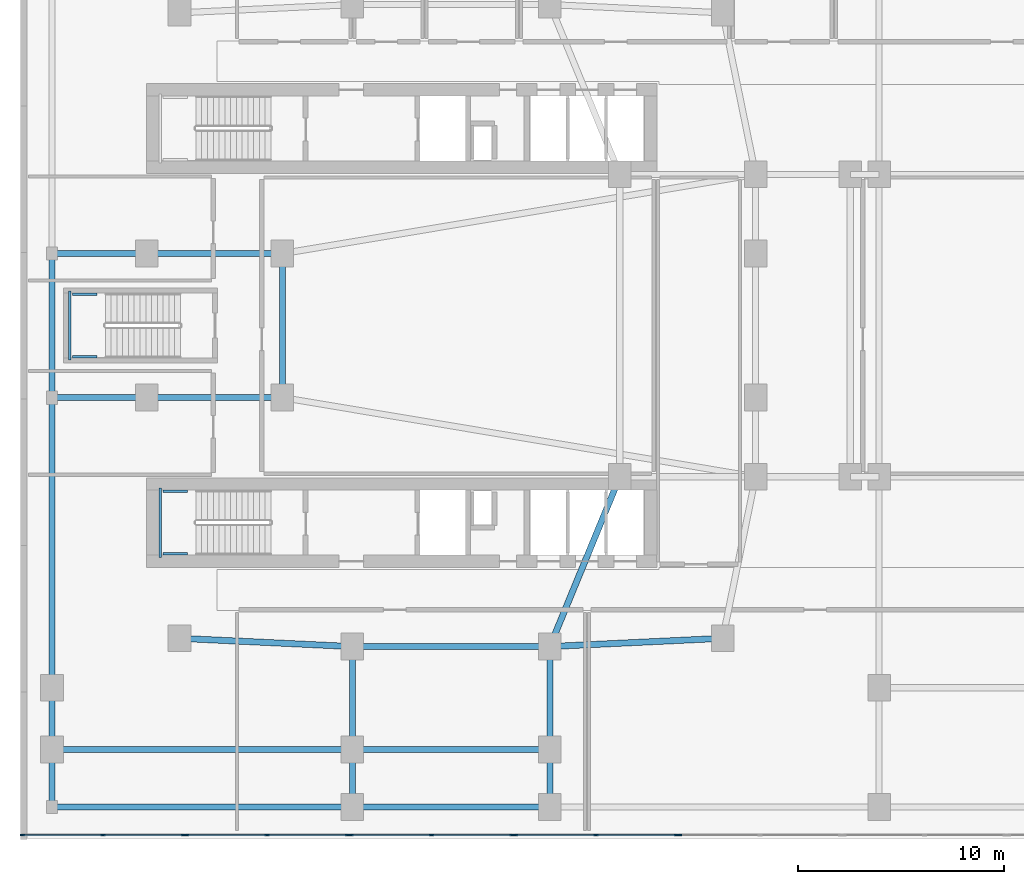
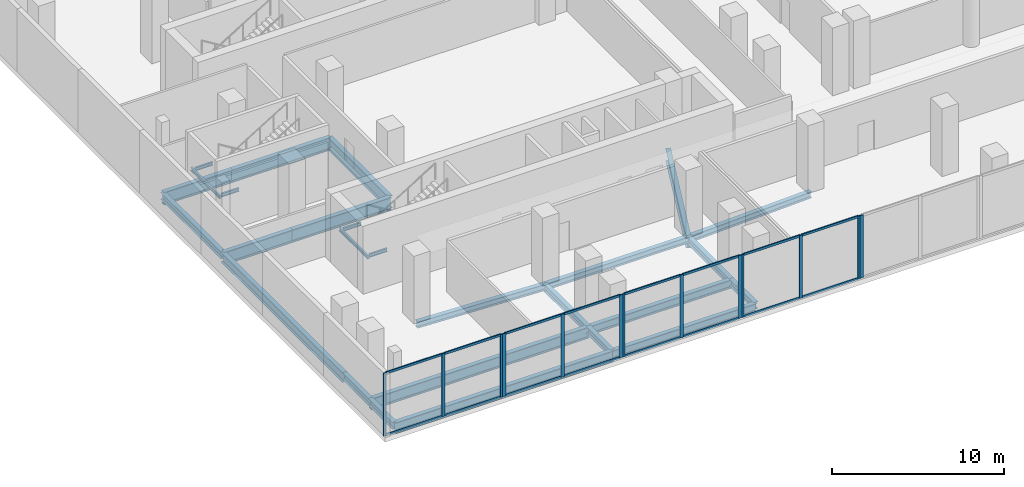
# One storey, part 2 of 23: 29 members, 27 beams, 5 elements without a shape of their own.
"""IFC4 building model written with IfcOpenShell, lengths in metres."""

from ifc_helpers import new_model, si_unit, derived_unit, direction, frame, origin, origin_2d, place, context, subcontext, project, spatial, rectangle, i_section, extrude, material, layer, layer_set, material_profile, profile_set, type_object, element, aggregate, save


model = new_model("IFC4")

# Units and contexts
model_context = context("Model", 3, precision=1e-05, world=origin(), true_north=direction((0.0, 1.0)))
body_context = subcontext(model_context, "Body", "Model", "MODEL_VIEW")
ifc_project = project(units=[si_unit("LENGTHUNIT", "METRE"), si_unit("AREAUNIT", "SQUARE_METRE"), si_unit("VOLUMEUNIT", "CUBIC_METRE"), si_unit("PLANEANGLEUNIT", "RADIAN"), si_unit("MASSUNIT", "GRAM", prefix="KILO"), derived_unit("THERMALTRANSMITTANCEUNIT", [(si_unit("POWERUNIT", "WATT"), 1), (si_unit("LENGTHUNIT", "METRE"), -2), (si_unit("THERMODYNAMICTEMPERATUREUNIT", "KELVIN"), -1)])], contexts=[model_context])

# Site, building, storey
site_placement = place(None, origin())
site = spatial("IfcSite", under=ifc_project, at=site_placement, CompositionType="ELEMENT")
building_placement = place(site_placement, origin())
building = spatial("IfcBuilding", under=site, at=building_placement, Name="Kivonza Crest Hotel", CompositionType="ELEMENT")
storey_placement = place(building_placement, frame((0.0, 0.0, 5.39990234375)))
storey = spatial("IfcBuildingStorey", under=building, at=storey_placement, Name="L01", CompositionType="ELEMENT", Elevation=5.39990234375)

# Beams
ifc_material_1 = material(Name="Steel S355", Category="steel")
ifc_material_profile_1 = material_profile(ifc_material_1, i_section(OverallWidth=0.300048828125, OverallDepth=0.449951171875, WebThickness=0.013916015625, FlangeThickness=0.02587890625, FilletRadius=0.027099609375, at=origin_2d()), Name="HEB 450")
ifc_profile_set_1 = profile_set([ifc_material_profile_1], Name="Steel S355")
beam_type_1 = type_object("IfcBeamType", Name="BM-HEB450", PredefinedType="SPANDREL", material=ifc_profile_set_1)
beam_1_placement = place(storey_placement, frame((16.199951171875, 9.39990234375, -0.574951171875), z_axis=(1.0, 0.0, 0.0), x_axis=(0.0, 1.0, 0.0)))
element("IfcBeam", 1, at=beam_1_placement, inside=storey, type_object=beam_type_1, Name="Tower T1 L01 perimeter spandrel S1-S2", PredefinedType="SPANDREL", context=body_context, shape_type="SweptSolid", body=[
    extrude(i_section(OverallWidth=0.300048828125, OverallDepth=0.449951171875, WebThickness=0.013916015625, FlangeThickness=0.02587890625, FilletRadius=0.027099609375, at=origin_2d()), origin(), (0.0, 0.0, 1.0), 9.60009765625),
])
for number, where, z_axis, x_axis, name in (
    (2, (25.800048828125, 9.39990234375, -0.574951171875), (0.998867283688, 0.047583080799, 0.0), (-0.047583080799, 0.998867283688, 0.0), "Tower T1 L01 perimeter spandrel S2-SE"),
    (3, (7.800048828125, 9.800048828125, -0.574951171875), (0.998867283688, -0.047583080799, 0.0), (0.047583080799, 0.998867283688, 0.0), "Tower T1 L01 perimeter spandrel SW-S1"),
):
    element("IfcBeam", number, at=place(storey_placement, frame(where, z_axis=z_axis, x_axis=x_axis)), inside=storey, type_object=beam_type_1, Name=name, PredefinedType="SPANDREL", context=body_context, shape_type="SweptSolid", body=[
        extrude(i_section(OverallWidth=0.300048828125, OverallDepth=0.449951171875, WebThickness=0.013916015625, FlangeThickness=0.02587890625, FilletRadius=0.027099609375, at=origin_2d()), origin(), (0.0, 0.0, 1.0), 8.409423828125),
    ])
ifc_material_profile_2 = material_profile(ifc_material_1, i_section(OverallWidth=0.300048828125, OverallDepth=0.5, WebThickness=0.014404296875, FlangeThickness=0.028076171875, FilletRadius=0.027099609375, at=origin_2d()), Name="HEB 500")
ifc_profile_set_2 = profile_set([ifc_material_profile_2], Name="Steel S355")
beam_type_2 = type_object("IfcBeamType", Name="BM-HEB500", PredefinedType="BEAM", material=ifc_profile_set_2)
beam_2_placement = place(storey_placement, frame((1.60009765625, 1.60009765625, -0.599853515625), z_axis=(0.0, 1.0, 0.0), x_axis=(-1.0, 0.0, 0.0)))
element("IfcBeam", 4, at=beam_2_placement, inside=storey, type_object=beam_type_2, Name="L01 podium girder Y 49", PredefinedType="BEAM", context=body_context, shape_type="SweptSolid", body=[
    extrude(i_section(OverallWidth=0.300048828125, OverallDepth=0.5, WebThickness=0.014404296875, FlangeThickness=0.028076171875, FilletRadius=0.027099609375, at=origin_2d()), origin(), (0.0, 0.0, 1.0), 2.7998046875),
])
beam_3_placement = place(storey_placement, frame((1.60009765625, 4.39990234375, -0.599853515625), z_axis=(0.0, 1.0, 0.0), x_axis=(-1.0, 0.0, 0.0)))
element("IfcBeam", 5, at=beam_3_placement, inside=storey, type_object=beam_type_2, Name="L01 podium girder Y 50", PredefinedType="BEAM", context=body_context, shape_type="SweptSolid", body=[
    extrude(i_section(OverallWidth=0.300048828125, OverallDepth=0.5, WebThickness=0.014404296875, FlangeThickness=0.028076171875, FilletRadius=0.027099609375, at=origin_2d()), origin(), (0.0, 0.0, 1.0), 3.0),
])
beam_4_placement = place(storey_placement, frame((1.60009765625, 21.5, -0.599853515625), z_axis=(0.0, 1.0, 0.0), x_axis=(-1.0, 0.0, 0.0)))
element("IfcBeam", 6, at=beam_4_placement, inside=storey, type_object=beam_type_2, Name="L01 podium girder Y 52", PredefinedType="BEAM", context=body_context, shape_type="SweptSolid", body=[
    extrude(i_section(OverallWidth=0.300048828125, OverallDepth=0.5, WebThickness=0.014404296875, FlangeThickness=0.028076171875, FilletRadius=0.027099609375, at=origin_2d()), origin(), (0.0, 0.0, 1.0), 7.0),
])
beam_5_placement = place(storey_placement, frame((16.199951171875, 1.60009765625, -0.599853515625), z_axis=(0.0, 1.0, 0.0), x_axis=(-1.0, 0.0, 0.0)))
element("IfcBeam", 7, at=beam_5_placement, inside=storey, type_object=beam_type_2, Name="L01 podium girder Y 58", PredefinedType="BEAM", context=body_context, shape_type="SweptSolid", body=[
    extrude(i_section(OverallWidth=0.300048828125, OverallDepth=0.5, WebThickness=0.014404296875, FlangeThickness=0.028076171875, FilletRadius=0.027099609375, at=origin_2d()), origin(), (0.0, 0.0, 1.0), 2.7998046875),
])
beam_6_placement = place(storey_placement, frame((16.199951171875, 4.39990234375, -0.599853515625), z_axis=(0.0, 1.0, 0.0), x_axis=(-1.0, 0.0, 0.0)))
element("IfcBeam", 8, at=beam_6_placement, inside=storey, type_object=beam_type_2, Name="L01 podium girder Y 59", PredefinedType="BEAM", context=body_context, shape_type="SweptSolid", body=[
    extrude(i_section(OverallWidth=0.300048828125, OverallDepth=0.5, WebThickness=0.014404296875, FlangeThickness=0.028076171875, FilletRadius=0.027099609375, at=origin_2d()), origin(), (0.0, 0.0, 1.0), 5.0),
])
beam_7_placement = place(storey_placement, frame((25.800048828125, 1.60009765625, -0.599853515625), z_axis=(0.0, 1.0, 0.0), x_axis=(-1.0, 0.0, 0.0)))
element("IfcBeam", 9, at=beam_7_placement, inside=storey, type_object=beam_type_2, Name="L01 podium girder Y 62", PredefinedType="BEAM", context=body_context, shape_type="SweptSolid", body=[
    extrude(i_section(OverallWidth=0.300048828125, OverallDepth=0.5, WebThickness=0.014404296875, FlangeThickness=0.028076171875, FilletRadius=0.027099609375, at=origin_2d()), origin(), (0.0, 0.0, 1.0), 2.7998046875),
])
beam_8_placement = place(storey_placement, frame((25.800048828125, 4.39990234375, -0.599853515625), z_axis=(0.0, 1.0, 0.0), x_axis=(-1.0, 0.0, 0.0)))
element("IfcBeam", 10, at=beam_8_placement, inside=storey, type_object=beam_type_2, Name="L01 podium girder Y 63", PredefinedType="BEAM", context=body_context, shape_type="SweptSolid", body=[
    extrude(i_section(OverallWidth=0.300048828125, OverallDepth=0.5, WebThickness=0.014404296875, FlangeThickness=0.028076171875, FilletRadius=0.027099609375, at=origin_2d()), origin(), (0.0, 0.0, 1.0), 5.0),
])
ifc_material_profile_3 = material_profile(ifc_material_1, i_section(OverallWidth=0.300048828125, OverallDepth=0.60009765625, WebThickness=0.015380859375, FlangeThickness=0.030029296875, FilletRadius=0.027099609375, at=origin_2d()), Name="HEB 600")
ifc_profile_set_3 = profile_set([ifc_material_profile_3], Name="Steel S355")
beam_type_3 = type_object("IfcBeamType", Name="BM-HEB600", PredefinedType="BEAM", material=ifc_profile_set_3)
for number, where, z_axis, x_axis, name in (
    (11, (16.199951171875, 1.60009765625, -0.64990234375), (1.0, 0.0, 0.0), (0.0, 1.0, 0.0), "L01 podium girder X 2"),
    (12, (16.199951171875, 4.39990234375, -0.64990234375), (1.0, 0.0, 0.0), (0.0, 1.0, 0.0), "L01 podium girder X 9"),
):
    element("IfcBeam", number, at=place(storey_placement, frame(where, z_axis=z_axis, x_axis=x_axis)), inside=storey, type_object=beam_type_3, Name=name, PredefinedType="BEAM", context=body_context, shape_type="SweptSolid", body=[
        extrude(i_section(OverallWidth=0.300048828125, OverallDepth=0.60009765625, WebThickness=0.015380859375, FlangeThickness=0.030029296875, FilletRadius=0.027099609375, at=origin_2d()), origin(), (0.0, 0.0, 1.0), 9.60009765625),
    ])
ifc_material_profile_4 = material_profile(ifc_material_1, i_section(OverallWidth=0.300048828125, OverallDepth=0.699951171875, WebThickness=0.01708984375, FlangeThickness=0.031982421875, FilletRadius=0.027099609375, at=origin_2d()), Name="HEB 700")
ifc_profile_set_4 = profile_set([ifc_material_profile_4], Name="Steel S355")
beam_type_4 = type_object("IfcBeamType", Name="BM-HEB700", PredefinedType="BEAM", material=ifc_profile_set_4)
beam_9_placement = place(storey_placement, frame((1.60009765625, 7.39990234375, -0.699951171875), z_axis=(0.0, 1.0, 0.0), x_axis=(-1.0, 0.0, 0.0)))
element("IfcBeam", 13, at=beam_9_placement, inside=storey, type_object=beam_type_4, Name="L01 podium girder Y 51", PredefinedType="BEAM", context=body_context, shape_type="SweptSolid", body=[
    extrude(i_section(OverallWidth=0.300048828125, OverallDepth=0.699951171875, WebThickness=0.01708984375, FlangeThickness=0.031982421875, FilletRadius=0.027099609375, at=origin_2d()), origin(), (0.0, 0.0, 1.0), 14.10009765625),
])
ifc_material_profile_5 = material_profile(ifc_material_1, i_section(OverallWidth=0.300048828125, OverallDepth=0.800048828125, WebThickness=0.017578125, FlangeThickness=0.032958984375, FilletRadius=0.030029296875, at=origin_2d()), Name="HEB 800")
ifc_profile_set_5 = profile_set([ifc_material_profile_5], Name="Steel S355")
beam_type_5 = type_object("IfcBeamType", Name="BM-HEB800", PredefinedType="BEAM", material=ifc_profile_set_5)
for number, where, z_axis, x_axis, name in (
    (14, (1.60009765625, 1.60009765625, -0.75), (1.0, 0.0, 0.0), (0.0, 1.0, 0.0), "L01 podium girder X 1"),
    (15, (1.60009765625, 4.39990234375, -0.75), (1.0, 0.0, 0.0), (0.0, 1.0, 0.0), "L01 podium girder X 8"),
):
    element("IfcBeam", number, at=place(storey_placement, frame(where, z_axis=z_axis, x_axis=x_axis)), inside=storey, type_object=beam_type_5, Name=name, PredefinedType="BEAM", context=body_context, shape_type="SweptSolid", body=[
        extrude(i_section(OverallWidth=0.300048828125, OverallDepth=0.800048828125, WebThickness=0.017578125, FlangeThickness=0.032958984375, FilletRadius=0.030029296875, at=origin_2d()), origin(), (0.0, 0.0, 1.0), 14.599853515625),
    ])
ifc_material_profile_6 = material_profile(ifc_material_1, i_section(OverallWidth=0.300048828125, OverallDepth=0.89990234375, WebThickness=0.0185546875, FlangeThickness=0.034912109375, FilletRadius=0.030029296875, at=origin_2d()), Name="HEB 900")
ifc_profile_set_6 = profile_set([ifc_material_profile_6], Name="Steel S355")
beam_type_6 = type_object("IfcBeamType", Name="BM-HEB900", PredefinedType="BEAM", material=ifc_profile_set_6)
for number, where, z_axis, x_axis, name in (
    (16, (6.199951171875, 21.5, -0.7998046875), (1.0, 0.0, 0.0), (0.0, 1.0, 0.0), "Tower T1 L01 primary girder W1-WL1"),
    (17, (6.199951171875, 28.5, -0.7998046875), (1.0, 0.0, 0.0), (0.0, 1.0, 0.0), "Tower T1 L01 primary girder W2-WL2"),
):
    element("IfcBeam", number, at=place(storey_placement, frame(where, z_axis=z_axis, x_axis=x_axis)), inside=storey, type_object=beam_type_6, Name=name, PredefinedType="BEAM", context=body_context, shape_type="SweptSolid", body=[
        extrude(i_section(OverallWidth=0.300048828125, OverallDepth=0.89990234375, WebThickness=0.0185546875, FlangeThickness=0.034912109375, FilletRadius=0.030029296875, at=origin_2d()), origin(), (0.0, 0.0, 1.0), 6.60009765625),
    ])
beam_10_placement = place(storey_placement, frame((12.800048828125, 21.5, -0.7998046875), z_axis=(0.0, 1.0, 0.0), x_axis=(-1.0, 0.0, 0.0)))
element("IfcBeam", 18, at=beam_10_placement, inside=storey, type_object=beam_type_6, Name="Tower T1 L01 primary girder WL1-WL2", PredefinedType="BEAM", context=body_context, shape_type="SweptSolid", body=[
    extrude(i_section(OverallWidth=0.300048828125, OverallDepth=0.89990234375, WebThickness=0.0185546875, FlangeThickness=0.034912109375, FilletRadius=0.030029296875, at=origin_2d()), origin(), (0.0, 0.0, 1.0), 7.0),
])
beam_11_placement = place(storey_placement, frame((25.800048828125, 9.39990234375, -0.7998046875), z_axis=(0.381022260404, 0.924565864109, 0.0), x_axis=(-0.924565864109, 0.381022260404, 0.0)))
element("IfcBeam", 19, at=beam_11_placement, inside=storey, type_object=beam_type_6, Name="Tower T1 L01 primary girder S1-TSE", PredefinedType="BEAM", context=body_context, shape_type="SweptSolid", body=[
    extrude(i_section(OverallWidth=0.300048828125, OverallDepth=0.89990234375, WebThickness=0.0185546875, FlangeThickness=0.034912109375, FilletRadius=0.030029296875, at=origin_2d()), origin(), (0.0, 0.0, 1.0), 8.923095703125),
])
for number, where, z_axis, x_axis, name in (
    (20, (1.60009765625, 21.5, -0.7998046875), (1.0, 0.0, 0.0), (0.0, 1.0, 0.0), "Tower T1 L01 outer bay girder ZW1"),
    (21, (1.60009765625, 28.5, -0.7998046875), (1.0, 0.0, 0.0), (0.0, 1.0, 0.0), "Tower T1 L01 outer bay girder ZW2"),
):
    element("IfcBeam", number, at=place(storey_placement, frame(where, z_axis=z_axis, x_axis=x_axis)), inside=storey, type_object=beam_type_6, Name=name, PredefinedType="BEAM", context=body_context, shape_type="SweptSolid", body=[
        extrude(i_section(OverallWidth=0.300048828125, OverallDepth=0.89990234375, WebThickness=0.0185546875, FlangeThickness=0.034912109375, FilletRadius=0.030029296875, at=origin_2d()), origin(), (0.0, 0.0, 1.0), 4.599853515625),
    ])
ifc_material_profile_7 = material_profile(ifc_material_1, i_section(OverallWidth=0.1201171875, OverallDepth=0.239990234375, WebThickness=0.006103515625, FlangeThickness=0.009765625, FilletRadius=0.014892578125, at=origin_2d()), Name="IPE 240")
ifc_profile_set_7 = profile_set([ifc_material_profile_7], Name="Steel S355")
beam_type_7 = type_object("IfcBeamType", Name="BM-LLDG-240", PredefinedType="BEAM", material=ifc_profile_set_7)
beam_12_placement = place(storey_placement, frame((6.860107421875, 13.739990234375, 2.080078125), z_axis=(0.0, 1.0, 0.0), x_axis=(-1.0, 0.0, 0.0)))
element("IfcBeam", 22, at=beam_12_placement, inside=storey, type_object=beam_type_7, Name="Stair ST-T1-S L01 West landing corbel", PredefinedType="BEAM", context=body_context, shape_type="SweptSolid", body=[
    extrude(i_section(OverallWidth=0.1201171875, OverallDepth=0.239990234375, WebThickness=0.006103515625, FlangeThickness=0.009765625, FilletRadius=0.014892578125, at=origin_2d()), origin(), (0.0, 0.0, 1.0), 3.360107421875),
])
for number, where, z_axis, x_axis, name in (
    (23, (6.989990234375, 13.89990234375, 2.080078125), (1.0, 0.0, 0.0), (0.0, 1.0, 0.0), "Stair ST-T1-S L01 South landing corbel"),
    (24, (6.989990234375, 16.93994140625, 2.080078125), (1.0, 0.0, 0.0), (0.0, 1.0, 0.0), "Stair ST-T1-S L01 North landing corbel"),
):
    element("IfcBeam", number, at=place(storey_placement, frame(where, z_axis=z_axis, x_axis=x_axis)), inside=storey, type_object=beam_type_7, Name=name, PredefinedType="BEAM", context=body_context, shape_type="SweptSolid", body=[
        extrude(i_section(OverallWidth=0.1201171875, OverallDepth=0.239990234375, WebThickness=0.006103515625, FlangeThickness=0.009765625, FilletRadius=0.014892578125, at=origin_2d()), origin(), (0.0, 0.0, 1.0), 1.2099609375),
    ])
beam_13_placement = place(storey_placement, frame((2.4599609375, 23.320068359375, 2.080078125), z_axis=(0.0, 1.0, 0.0), x_axis=(-1.0, 0.0, 0.0)))
element("IfcBeam", 25, at=beam_13_placement, inside=storey, type_object=beam_type_7, Name="Stair ST-POD-W L01 West landing corbel", PredefinedType="BEAM", context=body_context, shape_type="SweptSolid", body=[
    extrude(i_section(OverallWidth=0.1201171875, OverallDepth=0.239990234375, WebThickness=0.006103515625, FlangeThickness=0.009765625, FilletRadius=0.014892578125, at=origin_2d()), origin(), (0.0, 0.0, 1.0), 3.35986328125),
])
for number, where, z_axis, x_axis, name in (
    (26, (2.590087890625, 23.47998046875, 2.080078125), (1.0, 0.0, 0.0), (0.0, 1.0, 0.0), "Stair ST-POD-W L01 South landing corbel"),
    (27, (2.590087890625, 26.52001953125, 2.080078125), (1.0, 0.0, 0.0), (0.0, 1.0, 0.0), "Stair ST-POD-W L01 North landing corbel"),
):
    element("IfcBeam", number, at=place(storey_placement, frame(where, z_axis=z_axis, x_axis=x_axis)), inside=storey, type_object=beam_type_7, Name=name, PredefinedType="BEAM", context=body_context, shape_type="SweptSolid", body=[
        extrude(i_section(OverallWidth=0.1201171875, OverallDepth=0.239990234375, WebThickness=0.006103515625, FlangeThickness=0.009765625, FilletRadius=0.014892578125, at=origin_2d()), origin(), (0.0, 0.0, 1.0), 1.2099609375),
    ])

# Curtain wall, members
ifc_material_2 = material(Name="Anodised bronze aluminium and low-E double glazing", Category="aluminium")
ifc_layer = layer(ifc_material_2, 0.219970703125)
ifc_layer_set = layer_set([ifc_layer], Name="Anodised bronze aluminium and low-E double glazing")
curtain_wall_type = type_object("IfcCurtainWallType", Name="CW-SYS-1", PredefinedType="NOTDEFINED", material=ifc_layer_set)
curtain_wall_1_placement = place(storey_placement, origin())
curtain_wall_1 = element("IfcCurtainWall", 28, at=curtain_wall_1_placement, inside=storey, type_object=curtain_wall_type, Name="L01 unitised curtain wall CW-POD-L01-01", PredefinedType="NOTDEFINED")
ifc_material_3 = material(Name="Anodised bronze aluminium", Category="aluminium")
ifc_material_profile_8 = material_profile(ifc_material_3, rectangle(XDim=0.074951171875, YDim=0.219970703125, at=origin_2d()), Name="CW-M 75x220")
ifc_profile_set_8 = profile_set([ifc_material_profile_8], Name="Anodised bronze aluminium")
member_type_1 = type_object("IfcMemberType", Name="CW-MUL-75x220", PredefinedType="MULLION", material=ifc_profile_set_8)
member_1_placement = place(storey_placement, frame((0.157470703125, 0.239990234375, 0.0), z_axis=(0.0, 0.0, 1.0), x_axis=(0.0, 1.0, 0.0)))
member_1 = element("IfcMember", 29, at=member_1_placement, type_object=member_type_1, Name="CW-1 mullion 1", PredefinedType="MULLION", context=body_context, shape_type="SweptSolid", body=[
    extrude(rectangle(XDim=0.074951171875, YDim=0.219970703125, at=origin_2d()), origin(), (0.0, 0.0, 1.0), 4.4501953125),
])
member_2_placement = place(storey_placement, frame((4.073486328125, 0.239990234375, 0.0), z_axis=(0.0, 0.0, 1.0), x_axis=(0.0, 1.0, 0.0)))
member_2 = element("IfcMember", 30, at=member_2_placement, type_object=member_type_1, Name="CW-1 mullion 2", PredefinedType="MULLION", context=body_context, shape_type="SweptSolid", body=[
    extrude(rectangle(XDim=0.074951171875, YDim=0.219970703125, at=origin_2d()), origin(), (0.0, 0.0, 1.0), 4.4501953125),
])
member_3_placement = place(storey_placement, frame((7.989501953125, 0.239990234375, 0.0), z_axis=(0.0, 0.0, 1.0), x_axis=(0.0, 1.0, 0.0)))
member_3 = element("IfcMember", 31, at=member_3_placement, type_object=member_type_1, Name="CW-1 mullion 3", PredefinedType="MULLION", context=body_context, shape_type="SweptSolid", body=[
    extrude(rectangle(XDim=0.074951171875, YDim=0.219970703125, at=origin_2d()), origin(), (0.0, 0.0, 1.0), 4.4501953125),
])

curtain_wall_2_placement = place(storey_placement, origin())
curtain_wall_2 = element("IfcCurtainWall", 32, at=curtain_wall_2_placement, inside=storey, type_object=curtain_wall_type, Name="L01 unitised curtain wall CW-POD-L01-02", PredefinedType="NOTDEFINED")
member_4_placement = place(storey_placement, frame((8.14453125, 0.239990234375, 0.0), z_axis=(0.0, 0.0, 1.0), x_axis=(0.0, 1.0, 0.0)))
member_4 = element("IfcMember", 33, at=member_4_placement, type_object=member_type_1, Name="CW-1 mullion 1", PredefinedType="MULLION", context=body_context, shape_type="SweptSolid", body=[
    extrude(rectangle(XDim=0.074951171875, YDim=0.219970703125, at=origin_2d()), origin(), (0.0, 0.0, 1.0), 4.4501953125),
])
member_5_placement = place(storey_placement, frame((12.06005859375, 0.239990234375, 0.0), z_axis=(0.0, 0.0, 1.0), x_axis=(0.0, 1.0, 0.0)))
member_5 = element("IfcMember", 34, at=member_5_placement, type_object=member_type_1, Name="CW-1 mullion 2", PredefinedType="MULLION", context=body_context, shape_type="SweptSolid", body=[
    extrude(rectangle(XDim=0.074951171875, YDim=0.219970703125, at=origin_2d()), origin(), (0.0, 0.0, 1.0), 4.4501953125),
])
member_6_placement = place(storey_placement, frame((15.9755859375, 0.239990234375, 0.0), z_axis=(0.0, 0.0, 1.0), x_axis=(0.0, 1.0, 0.0)))
member_6 = element("IfcMember", 35, at=member_6_placement, type_object=member_type_1, Name="CW-1 mullion 3", PredefinedType="MULLION", context=body_context, shape_type="SweptSolid", body=[
    extrude(rectangle(XDim=0.074951171875, YDim=0.219970703125, at=origin_2d()), origin(), (0.0, 0.0, 1.0), 4.4501953125),
])

curtain_wall_3_placement = place(storey_placement, origin())
curtain_wall_3 = element("IfcCurtainWall", 36, at=curtain_wall_3_placement, inside=storey, type_object=curtain_wall_type, Name="L01 unitised curtain wall CW-POD-L01-03", PredefinedType="NOTDEFINED")
member_7_placement = place(storey_placement, frame((16.130615234375, 0.239990234375, 0.0), z_axis=(0.0, 0.0, 1.0), x_axis=(0.0, 1.0, 0.0)))
member_7 = element("IfcMember", 37, at=member_7_placement, type_object=member_type_1, Name="CW-1 mullion 1", PredefinedType="MULLION", context=body_context, shape_type="SweptSolid", body=[
    extrude(rectangle(XDim=0.074951171875, YDim=0.219970703125, at=origin_2d()), origin(), (0.0, 0.0, 1.0), 4.4501953125),
])
member_8_placement = place(storey_placement, frame((20.04638671875, 0.239990234375, 0.0), z_axis=(0.0, 0.0, 1.0), x_axis=(0.0, 1.0, 0.0)))
member_8 = element("IfcMember", 38, at=member_8_placement, type_object=member_type_1, Name="CW-1 mullion 2", PredefinedType="MULLION", context=body_context, shape_type="SweptSolid", body=[
    extrude(rectangle(XDim=0.074951171875, YDim=0.219970703125, at=origin_2d()), origin(), (0.0, 0.0, 1.0), 4.4501953125),
])
member_9_placement = place(storey_placement, frame((23.96240234375, 0.239990234375, 0.0), z_axis=(0.0, 0.0, 1.0), x_axis=(0.0, 1.0, 0.0)))
member_9 = element("IfcMember", 39, at=member_9_placement, type_object=member_type_1, Name="CW-1 mullion 3", PredefinedType="MULLION", context=body_context, shape_type="SweptSolid", body=[
    extrude(rectangle(XDim=0.074951171875, YDim=0.219970703125, at=origin_2d()), origin(), (0.0, 0.0, 1.0), 4.4501953125),
])

curtain_wall_4_placement = place(storey_placement, origin())
curtain_wall_4 = element("IfcCurtainWall", 40, at=curtain_wall_4_placement, inside=storey, type_object=curtain_wall_type, Name="L01 unitised curtain wall CW-POD-L01-04", PredefinedType="NOTDEFINED")
member_10_placement = place(storey_placement, frame((24.117431640625, 0.239990234375, 0.0), z_axis=(0.0, 0.0, 1.0), x_axis=(0.0, 1.0, 0.0)))
member_10 = element("IfcMember", 41, at=member_10_placement, type_object=member_type_1, Name="CW-1 mullion 1", PredefinedType="MULLION", context=body_context, shape_type="SweptSolid", body=[
    extrude(rectangle(XDim=0.074951171875, YDim=0.219970703125, at=origin_2d()), origin(), (0.0, 0.0, 1.0), 4.4501953125),
])
member_11_placement = place(storey_placement, frame((28.033447265625, 0.239990234375, 0.0), z_axis=(0.0, 0.0, 1.0), x_axis=(0.0, 1.0, 0.0)))
member_11 = element("IfcMember", 42, at=member_11_placement, type_object=member_type_1, Name="CW-1 mullion 2", PredefinedType="MULLION", context=body_context, shape_type="SweptSolid", body=[
    extrude(rectangle(XDim=0.074951171875, YDim=0.219970703125, at=origin_2d()), origin(), (0.0, 0.0, 1.0), 4.4501953125),
])
member_12_placement = place(storey_placement, frame((31.949462890625, 0.239990234375, 0.0), z_axis=(0.0, 0.0, 1.0), x_axis=(0.0, 1.0, 0.0)))
member_12 = element("IfcMember", 43, at=member_12_placement, type_object=member_type_1, Name="CW-1 mullion 3", PredefinedType="MULLION", context=body_context, shape_type="SweptSolid", body=[
    extrude(rectangle(XDim=0.074951171875, YDim=0.219970703125, at=origin_2d()), origin(), (0.0, 0.0, 1.0), 4.4501953125),
])

# Curtain wall, member
curtain_wall_5_placement = place(storey_placement, origin())
curtain_wall_5 = element("IfcCurtainWall", 44, at=curtain_wall_5_placement, inside=storey, type_object=curtain_wall_type, Name="L01 unitised curtain wall CW-POD-L01-05", PredefinedType="NOTDEFINED")
member_13_placement = place(storey_placement, frame((32.1044921875, 0.239990234375, 0.0), z_axis=(0.0, 0.0, 1.0), x_axis=(0.0, 1.0, 0.0)))
member_13 = element("IfcMember", 45, at=member_13_placement, type_object=member_type_1, Name="CW-1 mullion 1", PredefinedType="MULLION", context=body_context, shape_type="SweptSolid", body=[
    extrude(rectangle(XDim=0.074951171875, YDim=0.219970703125, at=origin_2d()), origin(), (0.0, 0.0, 1.0), 4.4501953125),
])
aggregate(curtain_wall_5, [member_13])

# Member
ifc_material_profile_9 = material_profile(ifc_material_3, rectangle(XDim=0.074951171875, YDim=0.159912109375, at=origin_2d()), Name="CW-T 75x160")
ifc_profile_set_9 = profile_set([ifc_material_profile_9], Name="Anodised bronze aluminium")
member_type_2 = type_object("IfcMemberType", Name="CW-TRN-75x160", PredefinedType="USERDEFINED", material=ifc_profile_set_9)
member_14_placement = place(storey_placement, frame((0.195068359375, 0.239990234375, 0.03759765625), z_axis=(1.0, 0.0, 0.0), x_axis=(0.0, 1.0, 0.0)))
member_14 = element("IfcMember", 46, at=member_14_placement, type_object=member_type_2, Name="CW-1 transom 1.1", ObjectType="TRANSOM", PredefinedType="USERDEFINED", context=body_context, shape_type="SweptSolid", body=[
    extrude(rectangle(XDim=0.074951171875, YDim=0.159912109375, at=origin_2d()), origin(), (0.0, 0.0, 1.0), 3.8408203125),
])

member_15_placement = place(storey_placement, frame((0.195068359375, 0.239990234375, 4.41259765625), z_axis=(1.0, 0.0, 0.0), x_axis=(0.0, 1.0, 0.0)))
member_15 = element("IfcMember", 47, at=member_15_placement, type_object=member_type_2, Name="CW-1 transom 1.2", ObjectType="TRANSOM", PredefinedType="USERDEFINED", context=body_context, shape_type="SweptSolid", body=[
    extrude(rectangle(XDim=0.074951171875, YDim=0.159912109375, at=origin_2d()), origin(), (0.0, 0.0, 1.0), 3.8408203125),
])

member_16_placement = place(storey_placement, frame((4.111083984375, 0.239990234375, 0.03759765625), z_axis=(1.0, 0.0, 0.0), x_axis=(0.0, 1.0, 0.0)))
member_16 = element("IfcMember", 48, at=member_16_placement, type_object=member_type_2, Name="CW-1 transom 2.1", ObjectType="TRANSOM", PredefinedType="USERDEFINED", context=body_context, shape_type="SweptSolid", body=[
    extrude(rectangle(XDim=0.074951171875, YDim=0.159912109375, at=origin_2d()), origin(), (0.0, 0.0, 1.0), 3.8408203125),
])

member_17_placement = place(storey_placement, frame((4.111083984375, 0.239990234375, 4.41259765625), z_axis=(1.0, 0.0, 0.0), x_axis=(0.0, 1.0, 0.0)))
member_17 = element("IfcMember", 49, at=member_17_placement, type_object=member_type_2, Name="CW-1 transom 2.2", ObjectType="TRANSOM", PredefinedType="USERDEFINED", context=body_context, shape_type="SweptSolid", body=[
    extrude(rectangle(XDim=0.074951171875, YDim=0.159912109375, at=origin_2d()), origin(), (0.0, 0.0, 1.0), 3.8408203125),
])

aggregate(curtain_wall_1, [member_1, member_2, member_3, member_14, member_15, member_16, member_17])

member_18_placement = place(storey_placement, frame((8.181884765625, 0.239990234375, 0.03759765625), z_axis=(1.0, 0.0, 0.0), x_axis=(0.0, 1.0, 0.0)))
member_18 = element("IfcMember", 50, at=member_18_placement, type_object=member_type_2, Name="CW-1 transom 1.1", ObjectType="TRANSOM", PredefinedType="USERDEFINED", context=body_context, shape_type="SweptSolid", body=[
    extrude(rectangle(XDim=0.074951171875, YDim=0.159912109375, at=origin_2d()), origin(), (0.0, 0.0, 1.0), 3.840576171875),
])

member_19_placement = place(storey_placement, frame((8.181884765625, 0.239990234375, 4.41259765625), z_axis=(1.0, 0.0, 0.0), x_axis=(0.0, 1.0, 0.0)))
member_19 = element("IfcMember", 51, at=member_19_placement, type_object=member_type_2, Name="CW-1 transom 1.2", ObjectType="TRANSOM", PredefinedType="USERDEFINED", context=body_context, shape_type="SweptSolid", body=[
    extrude(rectangle(XDim=0.074951171875, YDim=0.159912109375, at=origin_2d()), origin(), (0.0, 0.0, 1.0), 3.840576171875),
])

member_20_placement = place(storey_placement, frame((12.097412109375, 0.239990234375, 0.03759765625), z_axis=(1.0, 0.0, 0.0), x_axis=(0.0, 1.0, 0.0)))
member_20 = element("IfcMember", 52, at=member_20_placement, type_object=member_type_2, Name="CW-1 transom 2.1", ObjectType="TRANSOM", PredefinedType="USERDEFINED", context=body_context, shape_type="SweptSolid", body=[
    extrude(rectangle(XDim=0.074951171875, YDim=0.159912109375, at=origin_2d()), origin(), (0.0, 0.0, 1.0), 3.840576171875),
])

member_21_placement = place(storey_placement, frame((12.097412109375, 0.239990234375, 4.41259765625), z_axis=(1.0, 0.0, 0.0), x_axis=(0.0, 1.0, 0.0)))
member_21 = element("IfcMember", 53, at=member_21_placement, type_object=member_type_2, Name="CW-1 transom 2.2", ObjectType="TRANSOM", PredefinedType="USERDEFINED", context=body_context, shape_type="SweptSolid", body=[
    extrude(rectangle(XDim=0.074951171875, YDim=0.159912109375, at=origin_2d()), origin(), (0.0, 0.0, 1.0), 3.840576171875),
])

aggregate(curtain_wall_2, [member_4, member_5, member_6, member_18, member_19, member_20, member_21])

member_22_placement = place(storey_placement, frame((16.16796875, 0.239990234375, 0.03759765625), z_axis=(1.0, 0.0, 0.0), x_axis=(0.0, 1.0, 0.0)))
member_22 = element("IfcMember", 54, at=member_22_placement, type_object=member_type_2, Name="CW-1 transom 1.1", ObjectType="TRANSOM", PredefinedType="USERDEFINED", context=body_context, shape_type="SweptSolid", body=[
    extrude(rectangle(XDim=0.074951171875, YDim=0.159912109375, at=origin_2d()), origin(), (0.0, 0.0, 1.0), 3.841064453125),
])

member_23_placement = place(storey_placement, frame((16.16796875, 0.239990234375, 4.41259765625), z_axis=(1.0, 0.0, 0.0), x_axis=(0.0, 1.0, 0.0)))
member_23 = element("IfcMember", 55, at=member_23_placement, type_object=member_type_2, Name="CW-1 transom 1.2", ObjectType="TRANSOM", PredefinedType="USERDEFINED", context=body_context, shape_type="SweptSolid", body=[
    extrude(rectangle(XDim=0.074951171875, YDim=0.159912109375, at=origin_2d()), origin(), (0.0, 0.0, 1.0), 3.841064453125),
])

member_24_placement = place(storey_placement, frame((20.083984375, 0.239990234375, 0.03759765625), z_axis=(1.0, 0.0, 0.0), x_axis=(0.0, 1.0, 0.0)))
member_24 = element("IfcMember", 56, at=member_24_placement, type_object=member_type_2, Name="CW-1 transom 2.1", ObjectType="TRANSOM", PredefinedType="USERDEFINED", context=body_context, shape_type="SweptSolid", body=[
    extrude(rectangle(XDim=0.074951171875, YDim=0.159912109375, at=origin_2d()), origin(), (0.0, 0.0, 1.0), 3.841064453125),
])

member_25_placement = place(storey_placement, frame((20.083984375, 0.239990234375, 4.41259765625), z_axis=(1.0, 0.0, 0.0), x_axis=(0.0, 1.0, 0.0)))
member_25 = element("IfcMember", 57, at=member_25_placement, type_object=member_type_2, Name="CW-1 transom 2.2", ObjectType="TRANSOM", PredefinedType="USERDEFINED", context=body_context, shape_type="SweptSolid", body=[
    extrude(rectangle(XDim=0.074951171875, YDim=0.159912109375, at=origin_2d()), origin(), (0.0, 0.0, 1.0), 3.841064453125),
])

aggregate(curtain_wall_3, [member_7, member_8, member_9, member_22, member_23, member_24, member_25])

member_26_placement = place(storey_placement, frame((24.155029296875, 0.239990234375, 0.03759765625), z_axis=(1.0, 0.0, 0.0), x_axis=(0.0, 1.0, 0.0)))
member_26 = element("IfcMember", 58, at=member_26_placement, type_object=member_type_2, Name="CW-1 transom 1.1", ObjectType="TRANSOM", PredefinedType="USERDEFINED", context=body_context, shape_type="SweptSolid", body=[
    extrude(rectangle(XDim=0.074951171875, YDim=0.159912109375, at=origin_2d()), origin(), (0.0, 0.0, 1.0), 3.841064453125),
])

member_27_placement = place(storey_placement, frame((24.155029296875, 0.239990234375, 4.41259765625), z_axis=(1.0, 0.0, 0.0), x_axis=(0.0, 1.0, 0.0)))
member_27 = element("IfcMember", 59, at=member_27_placement, type_object=member_type_2, Name="CW-1 transom 1.2", ObjectType="TRANSOM", PredefinedType="USERDEFINED", context=body_context, shape_type="SweptSolid", body=[
    extrude(rectangle(XDim=0.074951171875, YDim=0.159912109375, at=origin_2d()), origin(), (0.0, 0.0, 1.0), 3.841064453125),
])

member_28_placement = place(storey_placement, frame((28.071044921875, 0.239990234375, 0.03759765625), z_axis=(1.0, 0.0, 0.0), x_axis=(0.0, 1.0, 0.0)))
member_28 = element("IfcMember", 60, at=member_28_placement, type_object=member_type_2, Name="CW-1 transom 2.1", ObjectType="TRANSOM", PredefinedType="USERDEFINED", context=body_context, shape_type="SweptSolid", body=[
    extrude(rectangle(XDim=0.074951171875, YDim=0.159912109375, at=origin_2d()), origin(), (0.0, 0.0, 1.0), 3.841064453125),
])

member_29_placement = place(storey_placement, frame((28.071044921875, 0.239990234375, 4.41259765625), z_axis=(1.0, 0.0, 0.0), x_axis=(0.0, 1.0, 0.0)))
member_29 = element("IfcMember", 61, at=member_29_placement, type_object=member_type_2, Name="CW-1 transom 2.2", ObjectType="TRANSOM", PredefinedType="USERDEFINED", context=body_context, shape_type="SweptSolid", body=[
    extrude(rectangle(XDim=0.074951171875, YDim=0.159912109375, at=origin_2d()), origin(), (0.0, 0.0, 1.0), 3.841064453125),
])

aggregate(curtain_wall_4, [member_10, member_11, member_12, member_26, member_27, member_28, member_29])

save(model, "model.ifc")
